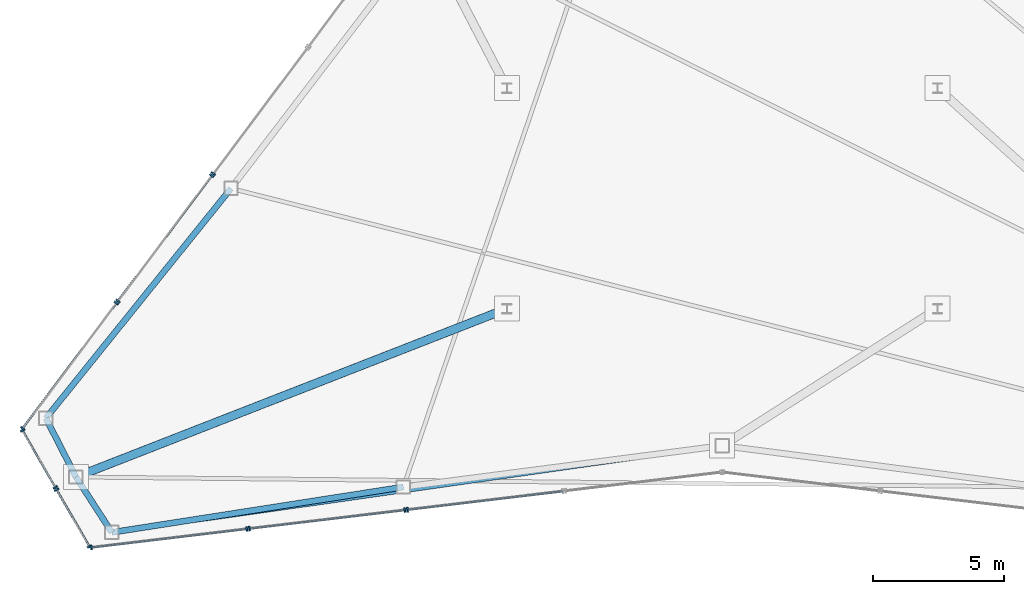
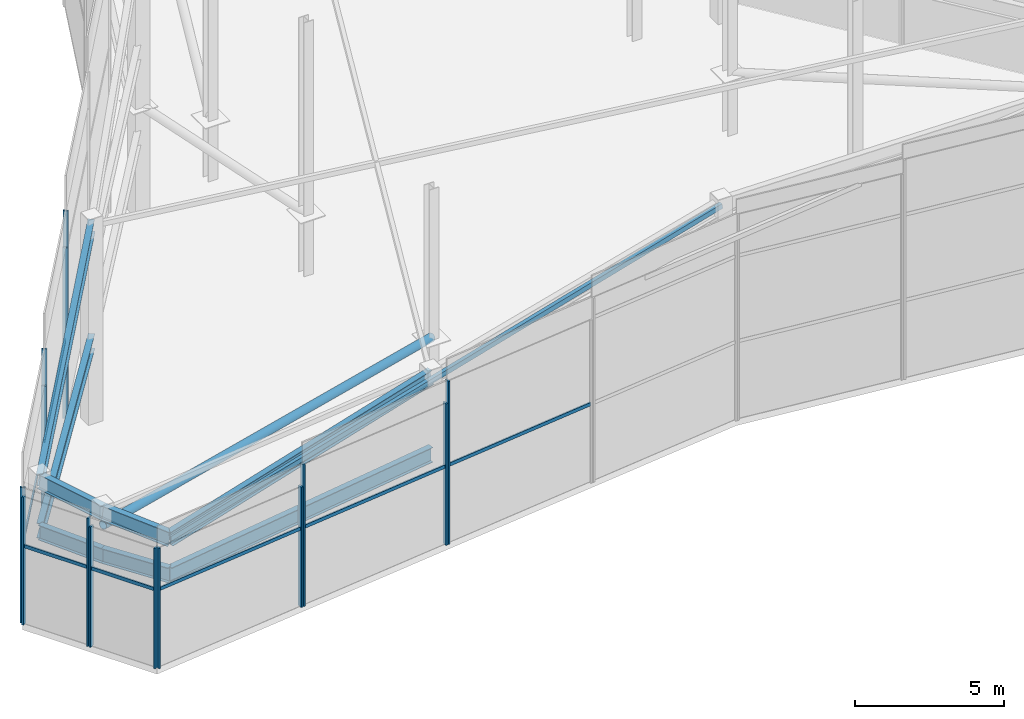
# One storey, part 3 of 17: 23 members, 8 beams, 8 elements without a shape of their own.
"""IFC4 building model written with IfcOpenShell, lengths in metres."""

from ifc_helpers import new_model, si_unit, direction, frame, origin, origin_2d, place, context, subcontext, project, spatial, rectangle, hollow_rectangle, hollow_circle, i_section, extrude, source, transform, mapped, material, layer, layer_set, material_profile, profile_set, type_object, type_shapes, element, aggregate, save


model = new_model("IFC4")

# Units and contexts
model_context = context("Model", 3, precision=1e-05, world=origin(), true_north=direction((0.0, 1.0)))
body_context = subcontext(model_context, "Body", "Model", "MODEL_VIEW")
ifc_project = project(units=[si_unit("LENGTHUNIT", "METRE"), si_unit("AREAUNIT", "SQUARE_METRE"), si_unit("VOLUMEUNIT", "CUBIC_METRE"), si_unit("PLANEANGLEUNIT", "RADIAN"), si_unit("MASSUNIT", "GRAM", prefix="KILO")], contexts=[model_context])

# Site, building, storey
site_placement = place(None, origin())
site = spatial("IfcSite", under=ifc_project, at=site_placement, CompositionType="ELEMENT")
building_placement = place(site_placement, origin())
building = spatial("IfcBuilding", under=site, at=building_placement, Name="Varakhsha Concourse Tower", CompositionType="ELEMENT")
storey_placement = place(building_placement, frame((0.0, 0.0, 294.800048828125)))
storey = spatial("IfcBuildingStorey", under=building, at=storey_placement, Name="RF", CompositionType="ELEMENT", Elevation=294.800048828125)

# Beams
ifc_material_1 = material(Name="Structural Steel ASTM A992 Grade 50", Category="steel")
ifc_material_profile_1 = material_profile(ifc_material_1, i_section(OverallWidth=0.22900390625, OverallDepth=0.612060546875, WebThickness=0.011962890625, FlangeThickness=0.02001953125, at=origin_2d()), Name="W24X84")
ifc_profile_set_1 = profile_set([ifc_material_profile_1], Name="Structural Steel ASTM A992 Grade 50")
beam_type = type_object("IfcBeamType", Name="BM-CROWN-W24X84", PredefinedType="BEAM", material=ifc_profile_set_1)
beam_1_placement = place(storey_placement, frame((21.294921875, 20.981201171875, 7.942138671875), z_axis=(-0.610338587026, -0.757765204715, -0.230821800767), x_axis=(0.778795773661, -0.627277564502, 0.0)))
element("IfcBeam", 1, at=beam_1_placement, inside=storey, type_object=beam_type, Name="Crown Frame Sloped Cap Ring 06", PredefinedType="BEAM", context=body_context, shape_type="SweptSolid", body=[
    extrude(i_section(OverallWidth=0.22900390625, OverallDepth=0.612060546875, WebThickness=0.011962890625, FlangeThickness=0.02001953125, at=origin_2d()), origin(), (0.0, 0.0, 1.0), 11.549072265625),
])
beam_2_placement = place(storey_placement, frame((21.294921875, 20.981201171875, 3.199951171875), z_axis=(-0.627277564502, -0.778795773661, 0.0), x_axis=(0.778795773661, -0.627277564502, 0.0)))
element("IfcBeam", 2, at=beam_2_placement, inside=storey, type_object=beam_type, Name="Crown Frame Ring Tier 1 06", PredefinedType="BEAM", context=body_context, shape_type="SweptSolid", body=[
    extrude(i_section(OverallWidth=0.22900390625, OverallDepth=0.612060546875, WebThickness=0.011962890625, FlangeThickness=0.02001953125, at=origin_2d()), origin(), (0.0, 0.0, 1.0), 11.237060546875),
])
beam_3_placement = place(storey_placement, frame((14.24609375, 12.229736328125, 5.2763671875), z_axis=(0.451413434894, -0.882890325939, -0.129346755507), x_axis=(0.89036994672, 0.455237693932, 0.0)))
element("IfcBeam", 3, at=beam_3_placement, inside=storey, type_object=beam_type, Name="Crown Frame Sloped Cap Ring 07", PredefinedType="BEAM", context=body_context, shape_type="SweptSolid", body=[
    extrude(i_section(OverallWidth=0.22900390625, OverallDepth=0.612060546875, WebThickness=0.011962890625, FlangeThickness=0.02001953125, at=origin_2d()), origin(), (0.0, 0.0, 1.0), 2.534912109375),
])
beam_4_placement = place(storey_placement, frame((14.24609375, 12.229736328125, 3.199951171875), z_axis=(0.455237693932, -0.89036994672, 0.0), x_axis=(0.89036994672, 0.455237693932, 0.0)))
element("IfcBeam", 4, at=beam_4_placement, inside=storey, type_object=beam_type, Name="Crown Frame Ring Tier 1 07", PredefinedType="BEAM", context=body_context, shape_type="SweptSolid", body=[
    extrude(i_section(OverallWidth=0.22900390625, OverallDepth=0.612060546875, WebThickness=0.011962890625, FlangeThickness=0.02001953125, at=origin_2d()), origin(), (0.0, 0.0, 1.0), 2.513671875),
])
beam_5_placement = place(storey_placement, frame((15.390380859375, 9.99169921875, 4.948486328125), z_axis=(0.540267859402, -0.834441584849, -0.108710080359), x_axis=(0.839416388173, 0.543488847416, 0.0)))
element("IfcBeam", 5, at=beam_5_placement, inside=storey, type_object=beam_type, Name="Crown Frame Sloped Cap Ring 08", PredefinedType="BEAM", context=body_context, shape_type="SweptSolid", body=[
    extrude(i_section(OverallWidth=0.22900390625, OverallDepth=0.612060546875, WebThickness=0.011962890625, FlangeThickness=0.02001953125, at=origin_2d()), origin(), (0.0, 0.0, 1.0), 2.52880859375),
])
beam_6_placement = place(storey_placement, frame((15.390380859375, 9.99169921875, 3.199951171875), z_axis=(0.543488847416, -0.839416388173, 0.0), x_axis=(0.839416388173, 0.543488847416, 0.0)))
element("IfcBeam", 6, at=beam_6_placement, inside=storey, type_object=beam_type, Name="Crown Frame Ring Tier 1 08", PredefinedType="BEAM", context=body_context, shape_type="SweptSolid", body=[
    extrude(i_section(OverallWidth=0.22900390625, OverallDepth=0.612060546875, WebThickness=0.011962890625, FlangeThickness=0.02001953125, at=origin_2d()), origin(), (0.0, 0.0, 1.0), 2.513671875),
])
beam_7_placement = place(storey_placement, frame((16.756591796875, 7.881591796875, 4.673583984375), z_axis=(0.977075874523, 0.152128988489, 0.148927855982), x_axis=(-0.153844654224, 0.988095047233, 0.0)))
element("IfcBeam", 7, at=beam_7_placement, inside=storey, type_object=beam_type, Name="Crown Frame Sloped Cap Ring 09", PredefinedType="BEAM", context=body_context, shape_type="SweptSolid", body=[
    extrude(i_section(OverallWidth=0.22900390625, OverallDepth=0.612060546875, WebThickness=0.011962890625, FlangeThickness=0.02001953125, at=origin_2d()), origin(), (0.0, 0.0, 1.0), 11.36376953125),
])
beam_8_placement = place(storey_placement, frame((16.756591796875, 7.881591796875, 3.199951171875), z_axis=(0.988095047233, 0.153844654224, 0.0), x_axis=(-0.153844654224, 0.988095047233, 0.0)))
element("IfcBeam", 8, at=beam_8_placement, inside=storey, type_object=beam_type, Name="Crown Frame Ring Tier 1 09", PredefinedType="BEAM", context=body_context, shape_type="SweptSolid", body=[
    extrude(i_section(OverallWidth=0.22900390625, OverallDepth=0.612060546875, WebThickness=0.011962890625, FlangeThickness=0.02001953125, at=origin_2d()), origin(), (0.0, 0.0, 1.0), 11.237060546875),
])

# Members
ifc_material_2 = material(Name="Structural Steel ASTM A500 Grade C", Category="steel")
ifc_material_profile_2 = material_profile(ifc_material_2, hollow_circle(Radius=0.162109375, WallThickness=0.013916015625, at=origin_2d()), Name="CHS 324x14")
ifc_profile_set_2 = profile_set([ifc_material_profile_2], Name="Structural Steel ASTM A500 Grade C")
member_type_1 = type_object("IfcMemberType", Name="MB-CROWN-CHS324", PredefinedType="BRACE", material=ifc_profile_set_2)
shared_shape_1 = source(origin(), body_context, "Body", "SweptSolid", [
    extrude(hollow_circle(Radius=0.162109375, WallThickness=0.013916015625, at=origin_2d()), origin(), (0.0, 0.0, 1.0), 17.72412109375),
])
type_shapes(member_type_1, [shared_shape_1])
member_1_placement = place(storey_placement, frame((31.800048828125, 16.39990234375, 2.449951171875), z_axis=(-0.925838013552, -0.361552595884, 0.110016785405), x_axis=(0.36376072191, -0.931492424658, 0.0)))
element("IfcMember", 9, at=member_1_placement, inside=storey, type_object=member_type_1, Name="Crown Frame Radial Wind Brace CB01", PredefinedType="BRACE", context=body_context, shape_type="MappedRepresentation", body=[
    mapped(shared_shape_1, transform((0.0, 0.0, 0.0), scale=1.0)),
])
ifc_material_profile_3 = material_profile(ifc_material_2, hollow_rectangle(XDim=0.14990234375, YDim=0.199951171875, WallThickness=0.010009765625, at=origin_2d()), Name="HSS 200x150x10")
ifc_profile_set_3 = profile_set([ifc_material_profile_3], Name="Structural Steel ASTM A500 Grade C")
member_type_2 = type_object("IfcMemberType", Name="MB-CROWN-PURLIN", PredefinedType="PURLIN", material=ifc_profile_set_3)
shared_shape_2 = source(origin(), body_context, "Body", "SweptSolid", [
    extrude(hollow_rectangle(XDim=0.14990234375, YDim=0.199951171875, WallThickness=0.010009765625, at=origin_2d()), origin(), (0.0, 0.0, 1.0), 23.733154296875),
])
type_shapes(member_type_2, [shared_shape_2])
member_2_placement = place(storey_placement, frame((16.756591796875, 7.881591796875, 4.673583984375), z_axis=(0.979367790102, 0.13919253787, 0.146506549726), x_axis=(-0.140710850133, 0.990050734384, 0.0)))
element("IfcMember", 10, at=member_2_placement, inside=storey, type_object=member_type_2, Name="Slanted Crown Roof Purlin PR07", PredefinedType="PURLIN", context=body_context, shape_type="MappedRepresentation", body=[
    mapped(shared_shape_2, transform((0.0, 0.0, 0.0), scale=1.0)),
])

# Curtain wall, member
ifc_material_3 = material(Name="Anodised Bronze Architectural Aluminium AA 6063-T6", Category="aluminium")
ifc_layer = layer(ifc_material_3, 0.219970703125, Name="CW-SYS-07")
ifc_layer_set = layer_set([ifc_layer], Name="Anodised Bronze Architectural Aluminium AA 6063-T6")
curtain_wall_type = type_object("IfcCurtainWallType", Name="CW-SYS-07", PredefinedType="NOTDEFINED", material=ifc_layer_set)
curtain_wall_1_placement = place(storey_placement, origin())
curtain_wall_1 = element("IfcCurtainWall", 11, at=curtain_wall_1_placement, inside=storey, type_object=curtain_wall_type, Name="Slanted Crown Curtain Wall F4-S1", PredefinedType="NOTDEFINED")
ifc_material_profile_4 = material_profile(ifc_material_3, rectangle(XDim=0.06005859375, YDim=0.139892578125, at=origin_2d()), Name="CWT-140X60")
ifc_profile_set_4 = profile_set([ifc_material_profile_4], Name="Anodised Bronze Architectural Aluminium AA 6063-T6")
member_type_3 = type_object("IfcMemberType", Name="CWT-140X60", PredefinedType="USERDEFINED", material=ifc_profile_set_4)
shared_shape_3 = source(origin(), body_context, "Body", "SweptSolid", [
    extrude(rectangle(XDim=0.06005859375, YDim=0.139892578125, at=origin_2d()), origin(), (0.0, 0.0, 1.0), 2.5),
])
member_3_placement = place(storey_placement, frame((14.603271484375, 9.594970703125, 3.199951171875), z_axis=(-0.500004234368, 0.866022959057, 0.0), x_axis=(-0.866022959057, -0.500004234368, 0.0)))
member_3 = element("IfcMember", 12, at=member_3_placement, type_object=member_type_3, Name="CW-RF-F4S1 Transom 01", ObjectType="TRANSOM", PredefinedType="USERDEFINED", context=body_context, shape_type="MappedRepresentation", body=[
    mapped(shared_shape_3, transform((0.0, 0.0, 0.0), scale=1.0)),
])

curtain_wall_2_placement = place(storey_placement, origin())
curtain_wall_2 = element("IfcCurtainWall", 13, at=curtain_wall_2_placement, inside=storey, type_object=curtain_wall_type, Name="Slanted Crown Curtain Wall F4-S2", PredefinedType="NOTDEFINED")
member_4_placement = place(storey_placement, frame((15.9033203125, 7.34326171875, 3.199951171875), z_axis=(-0.500004234368, 0.866022959057, 0.0), x_axis=(-0.866022959057, -0.500004234368, 0.0)))
member_4 = element("IfcMember", 14, at=member_4_placement, type_object=member_type_3, Name="CW-RF-F4S2 Transom 01", ObjectType="TRANSOM", PredefinedType="USERDEFINED", context=body_context, shape_type="MappedRepresentation", body=[
    mapped(shared_shape_3, transform((0.0, 0.0, 0.0), scale=1.0)),
])

curtain_wall_3_placement = place(storey_placement, origin())
curtain_wall_3 = element("IfcCurtainWall", 15, at=curtain_wall_3_placement, inside=storey, type_object=curtain_wall_type, Name="Slanted Crown Curtain Wall F3-S3", PredefinedType="NOTDEFINED")
shared_shape_4 = source(origin(), body_context, "Body", "SweptSolid", [
    extrude(rectangle(XDim=0.06005859375, YDim=0.139892578125, at=origin_2d()), origin(), (0.0, 0.0, 1.0), 5.960693359375),
])
type_shapes(member_type_3, [shared_shape_3, shared_shape_4])
member_5_placement = place(storey_placement, frame((16.9892578125, 16.69580078125, 3.199951171875), z_axis=(0.599088711153, 0.800682656343, 0.0), x_axis=(-0.800682656343, 0.599088711153, 0.0)))
member_5 = element("IfcMember", 16, at=member_5_placement, type_object=member_type_3, Name="CW-RF-F3S3 Transom 01", ObjectType="TRANSOM", PredefinedType="USERDEFINED", context=body_context, shape_type="MappedRepresentation", body=[
    mapped(shared_shape_4, transform((0.0, 0.0, 0.0), scale=1.0)),
])

curtain_wall_4_placement = place(storey_placement, origin())
curtain_wall_4 = element("IfcCurtainWall", 17, at=curtain_wall_4_placement, inside=storey, type_object=curtain_wall_type, Name="Slanted Crown Curtain Wall F3-S4", PredefinedType="NOTDEFINED")
member_6_placement = place(storey_placement, frame((13.3583984375, 11.84326171875, 3.199951171875), z_axis=(0.599062452485, 0.800702302996, 0.0), x_axis=(-0.800702302996, 0.599062452485, 0.0)))
member_6 = element("IfcMember", 18, at=member_6_placement, type_object=member_type_3, Name="CW-RF-F3S4 Transom 01", ObjectType="TRANSOM", PredefinedType="USERDEFINED", context=body_context, shape_type="MappedRepresentation", body=[
    mapped(shared_shape_4, transform((0.0, 0.0, 0.0), scale=1.0)),
])

curtain_wall_5_placement = place(storey_placement, origin())
curtain_wall_5 = element("IfcCurtainWall", 19, at=curtain_wall_5_placement, inside=storey, type_object=curtain_wall_type, Name="Slanted Crown Curtain Wall F5-S1", PredefinedType="NOTDEFINED")
member_7_placement = place(storey_placement, frame((21.896484375, 8.012451171875, 3.199951171875), z_axis=(-0.992950103264, -0.118533085792, 0.0), x_axis=(0.118533085792, -0.992950103264, 0.0)))
member_7 = element("IfcMember", 20, at=member_7_placement, type_object=member_type_3, Name="CW-RF-F5S1 Transom 01", ObjectType="TRANSOM", PredefinedType="USERDEFINED", context=body_context, shape_type="MappedRepresentation", body=[
    mapped(shared_shape_4, transform((0.0, 0.0, 0.0), scale=1.0)),
])

curtain_wall_6_placement = place(storey_placement, origin())
curtain_wall_6 = element("IfcCurtainWall", 21, at=curtain_wall_6_placement, inside=storey, type_object=curtain_wall_type, Name="Slanted Crown Curtain Wall F5-S2", PredefinedType="NOTDEFINED")
member_8_placement = place(storey_placement, frame((27.91455078125, 8.730712890625, 3.199951171875), z_axis=(-0.992950103264, -0.118533085792, 0.0), x_axis=(0.118533085792, -0.992950103264, 0.0)))
member_8 = element("IfcMember", 22, at=member_8_placement, type_object=member_type_3, Name="CW-RF-F5S2 Transom 01", ObjectType="TRANSOM", PredefinedType="USERDEFINED", context=body_context, shape_type="MappedRepresentation", body=[
    mapped(shared_shape_4, transform((0.0, 0.0, 0.0), scale=1.0)),
])

curtain_wall_7_placement = place(storey_placement, origin())
curtain_wall_7 = element("IfcCurtainWall", 23, at=curtain_wall_7_placement, inside=storey, type_object=curtain_wall_type, Name="Slanted Crown Curtain Wall F5-S3", PredefinedType="NOTDEFINED")
member_9_placement = place(storey_placement, frame((33.9326171875, 9.448974609375, 3.199951171875), z_axis=(-0.992950103264, -0.118533085792, 0.0), x_axis=(0.118533085792, -0.992950103264, 0.0)))
member_9 = element("IfcMember", 24, at=member_9_placement, type_object=member_type_3, Name="CW-RF-F5S3 Transom 01", ObjectType="TRANSOM", PredefinedType="USERDEFINED", context=body_context, shape_type="MappedRepresentation", body=[
    mapped(shared_shape_4, transform((0.0, 0.0, 0.0), scale=1.0)),
])

curtain_wall_8_placement = place(storey_placement, origin())
curtain_wall_8 = element("IfcCurtainWall", 25, at=curtain_wall_8_placement, inside=storey, type_object=curtain_wall_type, Name="Slanted Crown Curtain Wall F3-S2", PredefinedType="NOTDEFINED")
ifc_material_profile_5 = material_profile(ifc_material_3, rectangle(XDim=0.06494140625, YDim=0.179931640625, at=origin_2d()), Name="CWM-180X65")
ifc_profile_set_5 = profile_set([ifc_material_profile_5], Name="Anodised Bronze Architectural Aluminium AA 6063-T6")
member_type_4 = type_object("IfcMemberType", Name="CWM-180X65", PredefinedType="MULLION", material=ifc_profile_set_5)
shared_shape_5 = source(origin(), body_context, "Body", "SweptSolid", [
    extrude(rectangle(XDim=0.06494140625, YDim=0.179931640625, at=origin_2d()), origin(), (0.0, 0.0, 1.0), 8.43701171875),
])
member_10_placement = place(storey_placement, frame((20.620361328125, 21.54833984375, 0.0), z_axis=(0.0, 0.0, 1.0), x_axis=(0.599100460449, 0.800673865122, 0.0)))
member_10 = element("IfcMember", 26, at=member_10_placement, type_object=member_type_4, Name="CW-RF-F3S2 Mullion 00", PredefinedType="MULLION", context=body_context, shape_type="MappedRepresentation", body=[
    mapped(shared_shape_5, transform((0.0, 0.0, 0.0), scale=1.0)),
])
aggregate(curtain_wall_8, [member_10])

# Member
shared_shape_6 = source(origin(), body_context, "Body", "SweptSolid", [
    extrude(rectangle(XDim=0.06494140625, YDim=0.179931640625, at=origin_2d()), origin(), (0.0, 0.0, 1.0), 6.992431640625),
])
member_11_placement = place(storey_placement, frame((16.9892578125, 16.69580078125, 0.0), z_axis=(0.0, 0.0, 1.0), x_axis=(0.599100460449, 0.800673865122, 0.0)))
member_11 = element("IfcMember", 27, at=member_11_placement, type_object=member_type_4, Name="CW-RF-F3S3 Mullion 00", PredefinedType="MULLION", context=body_context, shape_type="MappedRepresentation", body=[
    mapped(shared_shape_6, transform((0.0, 0.0, 0.0), scale=1.0)),
])

member_12_placement = place(storey_placement, frame((20.560302734375, 21.468505859375, 0.0), z_axis=(0.0, 0.0, 1.0), x_axis=(0.599100460449, 0.800673865122, 0.0)))
member_12 = element("IfcMember", 28, at=member_12_placement, type_object=member_type_4, Name="CW-RF-F3S3 Mullion 01", PredefinedType="MULLION", context=body_context, shape_type="MappedRepresentation", body=[
    mapped(shared_shape_6, transform((0.0, 0.0, 0.0), scale=1.0)),
])

aggregate(curtain_wall_3, [member_11, member_12, member_5])

shared_shape_7 = source(origin(), body_context, "Body", "SweptSolid", [
    extrude(rectangle(XDim=0.06494140625, YDim=0.179931640625, at=origin_2d()), origin(), (0.0, 0.0, 1.0), 5.547607421875),
])
member_13_placement = place(storey_placement, frame((13.3583984375, 11.84326171875, 0.0), z_axis=(0.0, 0.0, 1.0), x_axis=(0.599092075779, 0.800680138844, 0.0)))
member_13 = element("IfcMember", 29, at=member_13_placement, type_object=member_type_4, Name="CW-RF-F3S4 Mullion 00", PredefinedType="MULLION", context=body_context, shape_type="MappedRepresentation", body=[
    mapped(shared_shape_7, transform((0.0, 0.0, 0.0), scale=1.0)),
])

member_14_placement = place(storey_placement, frame((16.92919921875, 16.615966796875, 0.0), z_axis=(0.0, 0.0, 1.0), x_axis=(0.599092075779, 0.800680138844, 0.0)))
member_14 = element("IfcMember", 30, at=member_14_placement, type_object=member_type_4, Name="CW-RF-F3S4 Mullion 01", PredefinedType="MULLION", context=body_context, shape_type="MappedRepresentation", body=[
    mapped(shared_shape_7, transform((0.0, 0.0, 0.0), scale=1.0)),
])

aggregate(curtain_wall_4, [member_13, member_14, member_6])

shared_shape_8 = source(origin(), body_context, "Body", "SweptSolid", [
    extrude(rectangle(XDim=0.06494140625, YDim=0.179931640625, at=origin_2d()), origin(), (0.0, 0.0, 1.0), 5.2353515625),
])
member_15_placement = place(storey_placement, frame((14.603271484375, 9.594970703125, 0.0), z_axis=(0.0, 0.0, 1.0), x_axis=(-0.500010580459, 0.866019295067, 0.0)))
member_15 = element("IfcMember", 31, at=member_15_placement, type_object=member_type_4, Name="CW-RF-F4S1 Mullion 00", PredefinedType="MULLION", context=body_context, shape_type="MappedRepresentation", body=[
    mapped(shared_shape_8, transform((0.0, 0.0, 0.0), scale=1.0)),
])

member_16_placement = place(storey_placement, frame((13.353271484375, 11.760009765625, 0.0), z_axis=(0.0, 0.0, 1.0), x_axis=(-0.500010580459, 0.866019295067, 0.0)))
member_16 = element("IfcMember", 32, at=member_16_placement, type_object=member_type_4, Name="CW-RF-F4S1 Mullion 01", PredefinedType="MULLION", context=body_context, shape_type="MappedRepresentation", body=[
    mapped(shared_shape_8, transform((0.0, 0.0, 0.0), scale=1.0)),
])

aggregate(curtain_wall_1, [member_15, member_16, member_3])

shared_shape_9 = source(origin(), body_context, "Body", "SweptSolid", [
    extrude(rectangle(XDim=0.06494140625, YDim=0.179931640625, at=origin_2d()), origin(), (0.0, 0.0, 1.0), 4.92333984375),
])
member_17_placement = place(storey_placement, frame((15.9033203125, 7.34326171875, 0.0), z_axis=(0.0, 0.0, 1.0), x_axis=(-0.49999395399, 0.866028894422, 0.0)))
member_17 = element("IfcMember", 33, at=member_17_placement, type_object=member_type_4, Name="CW-RF-F4S2 Mullion 00", PredefinedType="MULLION", context=body_context, shape_type="MappedRepresentation", body=[
    mapped(shared_shape_9, transform((0.0, 0.0, 0.0), scale=1.0)),
])

member_18_placement = place(storey_placement, frame((14.6533203125, 9.50830078125, 0.0), z_axis=(0.0, 0.0, 1.0), x_axis=(-0.49999395399, 0.866028894422, 0.0)))
member_18 = element("IfcMember", 34, at=member_18_placement, type_object=member_type_4, Name="CW-RF-F4S2 Mullion 01", PredefinedType="MULLION", context=body_context, shape_type="MappedRepresentation", body=[
    mapped(shared_shape_9, transform((0.0, 0.0, 0.0), scale=1.0)),
])

aggregate(curtain_wall_2, [member_17, member_18, member_4])

member_19_placement = place(storey_placement, frame((21.896484375, 8.012451171875, 0.0), z_axis=(0.0, 0.0, 1.0), x_axis=(-0.992951034922, -0.118525281045, 0.0)))
member_19 = element("IfcMember", 35, at=member_19_placement, type_object=member_type_4, Name="CW-RF-F5S1 Mullion 00", PredefinedType="MULLION", context=body_context, shape_type="MappedRepresentation", body=[
    mapped(shared_shape_9, transform((0.0, 0.0, 0.0), scale=1.0)),
])

member_20_placement = place(storey_placement, frame((15.977783203125, 7.305908203125, 0.0), z_axis=(0.0, 0.0, 1.0), x_axis=(-0.992951034922, -0.118525281045, 0.0)))
member_20 = element("IfcMember", 36, at=member_20_placement, type_object=member_type_4, Name="CW-RF-F5S1 Mullion 01", PredefinedType="MULLION", context=body_context, shape_type="MappedRepresentation", body=[
    mapped(shared_shape_9, transform((0.0, 0.0, 0.0), scale=1.0)),
])

aggregate(curtain_wall_5, [member_19, member_20, member_7])

shared_shape_10 = source(origin(), body_context, "Body", "SweptSolid", [
    extrude(rectangle(XDim=0.06494140625, YDim=0.179931640625, at=origin_2d()), origin(), (0.0, 0.0, 1.0), 5.795166015625),
])
member_21_placement = place(storey_placement, frame((27.91455078125, 8.730712890625, 0.0), z_axis=(0.0, 0.0, 1.0), x_axis=(-0.992953103427, -0.118507950762, 0.0)))
member_21 = element("IfcMember", 37, at=member_21_placement, type_object=member_type_4, Name="CW-RF-F5S2 Mullion 00", PredefinedType="MULLION", context=body_context, shape_type="MappedRepresentation", body=[
    mapped(shared_shape_10, transform((0.0, 0.0, 0.0), scale=1.0)),
])

member_22_placement = place(storey_placement, frame((21.995849609375, 8.024169921875, 0.0), z_axis=(0.0, 0.0, 1.0), x_axis=(-0.992953103427, -0.118507950762, 0.0)))
member_22 = element("IfcMember", 38, at=member_22_placement, type_object=member_type_4, Name="CW-RF-F5S2 Mullion 01", PredefinedType="MULLION", context=body_context, shape_type="MappedRepresentation", body=[
    mapped(shared_shape_10, transform((0.0, 0.0, 0.0), scale=1.0)),
])

aggregate(curtain_wall_6, [member_21, member_22, member_8])

shared_shape_11 = source(origin(), body_context, "Body", "SweptSolid", [
    extrude(rectangle(XDim=0.06494140625, YDim=0.179931640625, at=origin_2d()), origin(), (0.0, 0.0, 1.0), 6.666748046875),
])
type_shapes(member_type_4, [shared_shape_5, shared_shape_6, shared_shape_7, shared_shape_8, shared_shape_9, shared_shape_10, shared_shape_11])
member_23_placement = place(storey_placement, frame((28.013916015625, 8.742431640625, 0.0), z_axis=(0.0, 0.0, 1.0), x_axis=(-0.992951034922, -0.118525281045, 0.0)))
member_23 = element("IfcMember", 39, at=member_23_placement, type_object=member_type_4, Name="CW-RF-F5S3 Mullion 01", PredefinedType="MULLION", context=body_context, shape_type="MappedRepresentation", body=[
    mapped(shared_shape_11, transform((0.0, 0.0, 0.0), scale=1.0)),
])

aggregate(curtain_wall_7, [member_23, member_9])

save(model, "model.ifc")
